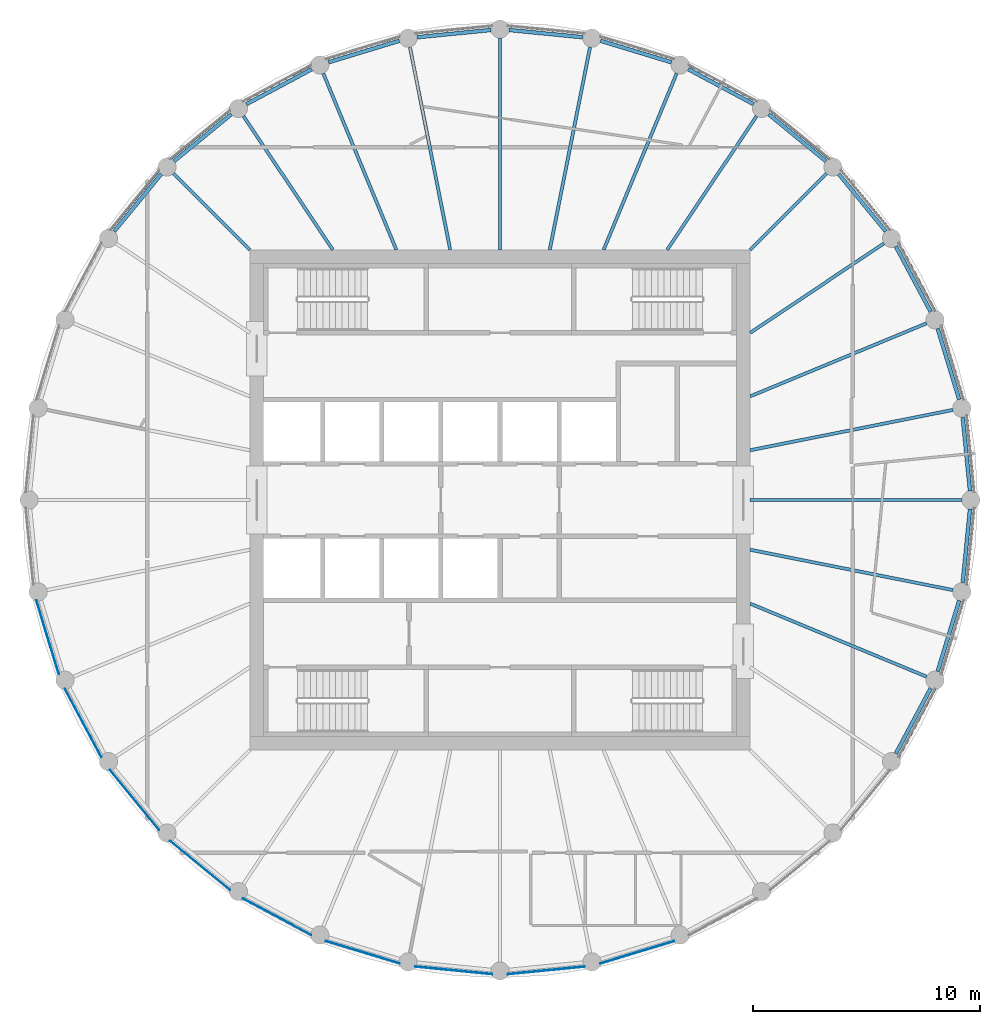
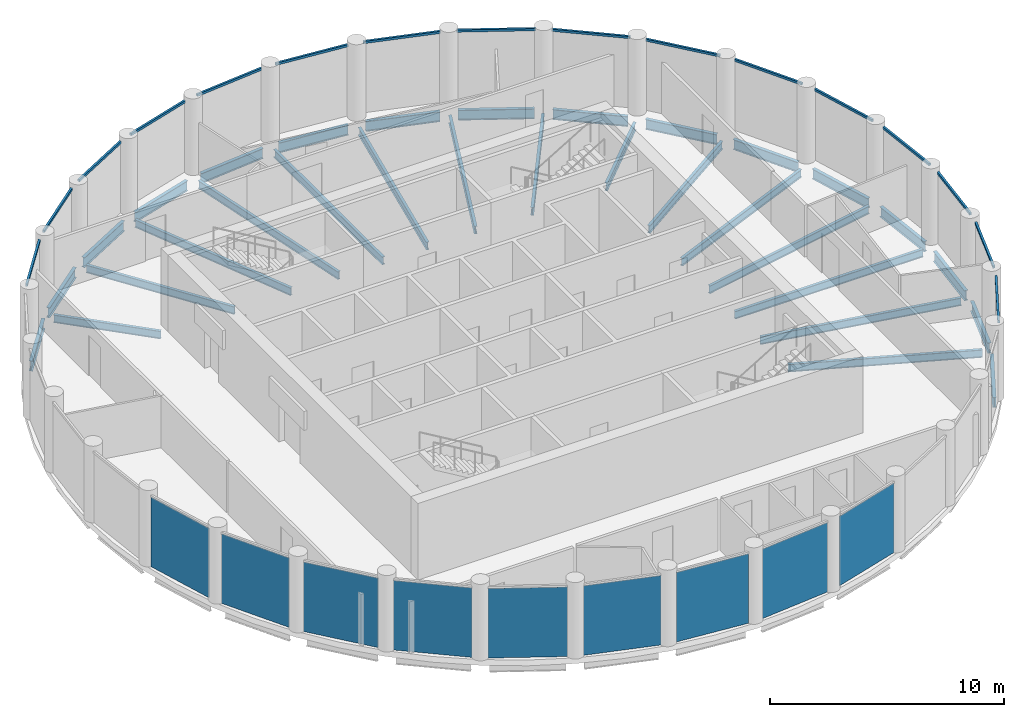
# One storey, part 2 of 7: 31 beams, 16 members, 9 plates, 25 elements without a shape of their own.
"""IFC4 building model written with IfcOpenShell, lengths in metres."""

from ifc_helpers import new_model, si_unit, direction, frame, origin, origin_2d, place, context, subcontext, project, spatial, rectangle, i_section, extrude, material, layer, layer_set, material_profile, profile_set, type_object, element, aggregate, save


model = new_model("IFC4")

# Units and contexts
model_context = context("Model", 3, precision=1e-05, world=origin(), true_north=direction((0.0, 1.0)))
body_context = subcontext(model_context, "Body", "Model", "MODEL_VIEW")
ifc_project = project(units=[si_unit("LENGTHUNIT", "METRE"), si_unit("AREAUNIT", "SQUARE_METRE"), si_unit("VOLUMEUNIT", "CUBIC_METRE"), si_unit("PLANEANGLEUNIT", "RADIAN"), si_unit("MASSUNIT", "GRAM", prefix="KILO")], contexts=[model_context])

# Site, building, storey
site_placement = place(None, origin())
site = spatial("IfcSite", under=ifc_project, at=site_placement, CompositionType="ELEMENT")
building_placement = place(site_placement, origin())
building = spatial("IfcBuilding", under=site, at=building_placement, Name="Corvane Civic Tower", CompositionType="ELEMENT")
storey_placement = place(building_placement, frame((0.0, 0.0, 336.5)))
storey = spatial("IfcBuildingStorey", under=building, at=storey_placement, Name="L80", CompositionType="ELEMENT", Elevation=336.5)

# Beams
ifc_material_1 = material(Name="Steel ASTM A992 Gr 50", Category="steel")
ifc_material_profile_1 = material_profile(ifc_material_1, i_section(OverallWidth=0.165771484375, OverallDepth=0.5283203125, WebThickness=0.009765625, FlangeThickness=0.013671875, at=origin_2d()), Name="W21X50")
ifc_profile_set_1 = profile_set([ifc_material_profile_1], Name="Steel ASTM A992 Gr 50")
beam_type_1 = type_object("IfcBeamType", Name="EDGE BEAM W21X50", PredefinedType="BEAM", material=ifc_profile_set_1)
beam_1_placement = place(storey_placement, frame((0.39794921875, 20.66064453125, -0.564208984375), z_axis=(0.995192503142, -0.097938152369, 0.0), x_axis=(0.097938152369, 0.995192503142, 0.0)))
element("IfcBeam", 1, at=beam_1_placement, inside=storey, type_object=beam_type_1, Name="BM-L80-E01", PredefinedType="BEAM", context=body_context, shape_type="SweptSolid", body=[
    extrude(i_section(OverallWidth=0.165771484375, OverallDepth=0.5283203125, WebThickness=0.009765625, FlangeThickness=0.013671875, at=origin_2d()), origin(), (0.0, 0.0, 1.0), 3.258056640625),
])
for number, where, z_axis, x_axis, name in (
    (2, (4.421142578125, 20.18603515625, -0.564208984375), (0.956955679349, -0.290234091317, 0.0), (0.290234091317, 0.956955679349, 0.0), "BM-L80-E02"),
    (3, (8.2744140625, 18.935791015625, -0.564208984375), (0.881894065907, -0.471447618, 0.0), (0.471447618, 0.881894065907, 0.0), "BM-L80-E03"),
    (4, (11.8095703125, 16.957763671875, -0.564208984375), (0.772984791903, -0.634424551454, 0.0), (0.634424551454, 0.772984791903, 0.0), "BM-L80-E04"),
    (5, (14.890869140625, 14.327880859375, -0.564208984375), (0.634424551454, -0.772984791903, 0.0), (0.772984791903, 0.634424551454, 0.0), "BM-L80-E05"),
    (6, (17.39990234375, 11.1474609375, -0.564208984375), (0.471447618, -0.881894065907, 0.0), (0.881894065907, 0.471447618, 0.0), "BM-L80-E06"),
    (7, (19.240478515625, 7.538818359375, -0.564208984375), (0.290234091317, -0.956955679349, 0.0), (0.956955679349, 0.290234091317, 0.0), "BM-L80-E07"),
):
    element("IfcBeam", number, at=place(storey_placement, frame(where, z_axis=z_axis, x_axis=x_axis)), inside=storey, type_object=beam_type_1, Name=name, PredefinedType="BEAM", context=body_context, shape_type="SweptSolid", body=[
        extrude(i_section(OverallWidth=0.165771484375, OverallDepth=0.5283203125, WebThickness=0.009765625, FlangeThickness=0.013671875, at=origin_2d()), origin(), (0.0, 0.0, 1.0), 3.2578125),
    ])
for number, where, z_axis, x_axis, name in (
    (8, (20.341552734375, 3.640380859375, -0.564208984375), (0.097938152369, -0.995192503142, 0.0), (0.995192503142, 0.097938152369, 0.0), "BM-L80-E08"),
    (9, (20.66064453125, -0.39794921875, -0.564208984375), (-0.097938152369, -0.995192503142, 0.0), (0.995192503142, -0.097938152369, 0.0), "BM-L80-E09"),
):
    element("IfcBeam", number, at=place(storey_placement, frame(where, z_axis=z_axis, x_axis=x_axis)), inside=storey, type_object=beam_type_1, Name=name, PredefinedType="BEAM", context=body_context, shape_type="SweptSolid", body=[
        extrude(i_section(OverallWidth=0.165771484375, OverallDepth=0.5283203125, WebThickness=0.009765625, FlangeThickness=0.013671875, at=origin_2d()), origin(), (0.0, 0.0, 1.0), 3.258056640625),
    ])
for number, where, z_axis, x_axis, name in (
    (10, (20.18603515625, -4.421142578125, -0.564208984375), (-0.290234091317, -0.956955679349, 0.0), (0.956955679349, -0.290234091317, 0.0), "BM-L80-E10"),
    (11, (18.935791015625, -8.2744140625, -0.564208984375), (-0.471447618, -0.881894065907, 0.0), (0.881894065907, -0.471447618, 0.0), "BM-L80-E11"),
    (12, (-16.957763671875, 11.8095703125, -0.564208984375), (0.634424551454, 0.772984791903, 0.0), (-0.772984791903, 0.634424551454, 0.0), "BM-L80-E28"),
    (13, (-14.327880859375, 14.890869140625, -0.564208984375), (0.772984791903, 0.634424551454, 0.0), (-0.634424551454, 0.772984791903, 0.0), "BM-L80-E29"),
    (14, (-11.1474609375, 17.39990234375, -0.564208984375), (0.881894065907, 0.471447618, 0.0), (-0.471447618, 0.881894065907, 0.0), "BM-L80-E30"),
    (15, (-7.538818359375, 19.240478515625, -0.564208984375), (0.956955679349, 0.290234091317, 0.0), (-0.290234091317, 0.956955679349, 0.0), "BM-L80-E31"),
):
    element("IfcBeam", number, at=place(storey_placement, frame(where, z_axis=z_axis, x_axis=x_axis)), inside=storey, type_object=beam_type_1, Name=name, PredefinedType="BEAM", context=body_context, shape_type="SweptSolid", body=[
        extrude(i_section(OverallWidth=0.165771484375, OverallDepth=0.5283203125, WebThickness=0.009765625, FlangeThickness=0.013671875, at=origin_2d()), origin(), (0.0, 0.0, 1.0), 3.2578125),
    ])
beam_2_placement = place(storey_placement, frame((-3.640380859375, 20.341552734375, -0.564208984375), z_axis=(0.995192503142, 0.097938152369, 0.0), x_axis=(-0.097938152369, 0.995192503142, 0.0)))
element("IfcBeam", 16, at=beam_2_placement, inside=storey, type_object=beam_type_1, Name="BM-L80-E32", PredefinedType="BEAM", context=body_context, shape_type="SweptSolid", body=[
    extrude(i_section(OverallWidth=0.165771484375, OverallDepth=0.5283203125, WebThickness=0.009765625, FlangeThickness=0.013671875, at=origin_2d()), origin(), (0.0, 0.0, 1.0), 3.258056640625),
])
ifc_material_2 = material(Name="Steel ASTM A992 Gr 50", Category="steel")
ifc_material_profile_2 = material_profile(ifc_material_2, i_section(OverallWidth=0.140380859375, OverallDepth=0.40380859375, WebThickness=0.007080078125, FlangeThickness=0.01123046875, at=origin_2d()), Name="W16X31")
ifc_profile_set_2 = profile_set([ifc_material_profile_2], Name="Steel ASTM A992 Gr 50")
beam_type_2 = type_object("IfcBeamType", Name="FLOOR GIRDER W16X31", PredefinedType="BEAM", material=ifc_profile_set_2)
beam_3_placement = place(storey_placement, frame((0.0, 11.0, -0.501953125), z_axis=(0.0, 1.0, 0.0), x_axis=(-1.0, 0.0, 0.0)))
element("IfcBeam", 17, at=beam_3_placement, inside=storey, type_object=beam_type_2, Name="BM-L80-G01", PredefinedType="BEAM", context=body_context, shape_type="SweptSolid", body=[
    extrude(i_section(OverallWidth=0.140380859375, OverallDepth=0.40380859375, WebThickness=0.007080078125, FlangeThickness=0.01123046875, at=origin_2d()), origin(), (0.0, 0.0, 1.0), 9.300048828125),
])
beam_4_placement = place(storey_placement, frame((2.18798828125, 11.0, -0.501953125), z_axis=(0.195108241061, 0.980781715913, 0.0), x_axis=(-0.980781715913, 0.195108241061, 0.0)))
element("IfcBeam", 18, at=beam_4_placement, inside=storey, type_object=beam_type_2, Name="BM-L80-G02", PredefinedType="BEAM", context=body_context, shape_type="SweptSolid", body=[
    extrude(i_section(OverallWidth=0.140380859375, OverallDepth=0.40380859375, WebThickness=0.007080078125, FlangeThickness=0.01123046875, at=origin_2d()), origin(), (0.0, 0.0, 1.0), 9.08447265625),
])
beam_5_placement = place(storey_placement, frame((4.556396484375, 11.0, -0.501953125), z_axis=(0.382691739894, 0.923876091377, 0.0), x_axis=(-0.923876091377, 0.382691739894, 0.0)))
element("IfcBeam", 19, at=beam_5_placement, inside=storey, type_object=beam_type_2, Name="BM-L80-G03", PredefinedType="BEAM", context=body_context, shape_type="SweptSolid", body=[
    extrude(i_section(OverallWidth=0.140380859375, OverallDepth=0.40380859375, WebThickness=0.007080078125, FlangeThickness=0.01123046875, at=origin_2d()), origin(), (0.0, 0.0, 1.0), 8.3935546875),
])
beam_6_placement = place(storey_placement, frame((7.349853515625, 11.0, -0.501953125), z_axis=(0.555576401385, 0.831465490699, 0.0), x_axis=(-0.831465490699, 0.555576401385, 0.0)))
element("IfcBeam", 20, at=beam_6_placement, inside=storey, type_object=beam_type_2, Name="BM-L80-G04", PredefinedType="BEAM", context=body_context, shape_type="SweptSolid", body=[
    extrude(i_section(OverallWidth=0.140380859375, OverallDepth=0.40380859375, WebThickness=0.007080078125, FlangeThickness=0.01123046875, at=origin_2d()), origin(), (0.0, 0.0, 1.0), 7.070556640625),
])
beam_7_placement = place(storey_placement, frame((11.0, 11.0, -0.501953125), z_axis=(0.707106781187, 0.707106781187, 0.0), x_axis=(-0.707106781187, 0.707106781187, 0.0)))
element("IfcBeam", 21, at=beam_7_placement, inside=storey, type_object=beam_type_2, Name="BM-L80-G05", PredefinedType="BEAM", context=body_context, shape_type="SweptSolid", body=[
    extrude(i_section(OverallWidth=0.140380859375, OverallDepth=0.40380859375, WebThickness=0.007080078125, FlangeThickness=0.01123046875, at=origin_2d()), origin(), (0.0, 0.0, 1.0), 4.74365234375),
])
beam_8_placement = place(storey_placement, frame((11.0, 7.349853515625, -0.501953125), z_axis=(0.831465490699, 0.555576401385, 0.0), x_axis=(-0.555576401385, 0.831465490699, 0.0)))
element("IfcBeam", 22, at=beam_8_placement, inside=storey, type_object=beam_type_2, Name="BM-L80-G06", PredefinedType="BEAM", context=body_context, shape_type="SweptSolid", body=[
    extrude(i_section(OverallWidth=0.140380859375, OverallDepth=0.40380859375, WebThickness=0.007080078125, FlangeThickness=0.01123046875, at=origin_2d()), origin(), (0.0, 0.0, 1.0), 7.070556640625),
])
beam_9_placement = place(storey_placement, frame((11.0, 4.556396484375, -0.501953125), z_axis=(0.923876091377, 0.382691739894, 0.0), x_axis=(-0.382691739894, 0.923876091377, 0.0)))
element("IfcBeam", 23, at=beam_9_placement, inside=storey, type_object=beam_type_2, Name="BM-L80-G07", PredefinedType="BEAM", context=body_context, shape_type="SweptSolid", body=[
    extrude(i_section(OverallWidth=0.140380859375, OverallDepth=0.40380859375, WebThickness=0.007080078125, FlangeThickness=0.01123046875, at=origin_2d()), origin(), (0.0, 0.0, 1.0), 8.3935546875),
])
beam_10_placement = place(storey_placement, frame((11.0, 2.18798828125, -0.501953125), z_axis=(0.980781715913, 0.195108241061, 0.0), x_axis=(-0.195108241061, 0.980781715913, 0.0)))
element("IfcBeam", 24, at=beam_10_placement, inside=storey, type_object=beam_type_2, Name="BM-L80-G08", PredefinedType="BEAM", context=body_context, shape_type="SweptSolid", body=[
    extrude(i_section(OverallWidth=0.140380859375, OverallDepth=0.40380859375, WebThickness=0.007080078125, FlangeThickness=0.01123046875, at=origin_2d()), origin(), (0.0, 0.0, 1.0), 9.08447265625),
])
beam_11_placement = place(storey_placement, frame((11.0, 0.0, -0.501953125), z_axis=(1.0, 0.0, 0.0), x_axis=(0.0, 1.0, 0.0)))
element("IfcBeam", 25, at=beam_11_placement, inside=storey, type_object=beam_type_2, Name="BM-L80-G09", PredefinedType="BEAM", context=body_context, shape_type="SweptSolid", body=[
    extrude(i_section(OverallWidth=0.140380859375, OverallDepth=0.40380859375, WebThickness=0.007080078125, FlangeThickness=0.01123046875, at=origin_2d()), origin(), (0.0, 0.0, 1.0), 9.300048828125),
])
beam_12_placement = place(storey_placement, frame((11.0, -2.18798828125, -0.501953125), z_axis=(0.980781715913, -0.195108241061, 0.0), x_axis=(0.195108241061, 0.980781715913, 0.0)))
element("IfcBeam", 26, at=beam_12_placement, inside=storey, type_object=beam_type_2, Name="BM-L80-G10", PredefinedType="BEAM", context=body_context, shape_type="SweptSolid", body=[
    extrude(i_section(OverallWidth=0.140380859375, OverallDepth=0.40380859375, WebThickness=0.007080078125, FlangeThickness=0.01123046875, at=origin_2d()), origin(), (0.0, 0.0, 1.0), 9.08447265625),
])
beam_13_placement = place(storey_placement, frame((11.0, -4.556396484375, -0.501953125), z_axis=(0.923876091377, -0.382691739894, 0.0), x_axis=(0.382691739894, 0.923876091377, 0.0)))
element("IfcBeam", 27, at=beam_13_placement, inside=storey, type_object=beam_type_2, Name="BM-L80-G11", PredefinedType="BEAM", context=body_context, shape_type="SweptSolid", body=[
    extrude(i_section(OverallWidth=0.140380859375, OverallDepth=0.40380859375, WebThickness=0.007080078125, FlangeThickness=0.01123046875, at=origin_2d()), origin(), (0.0, 0.0, 1.0), 8.3935546875),
])
beam_14_placement = place(storey_placement, frame((-11.0, 11.0, -0.501953125), z_axis=(-0.707106781187, 0.707106781187, 0.0), x_axis=(-0.707106781187, -0.707106781187, 0.0)))
element("IfcBeam", 28, at=beam_14_placement, inside=storey, type_object=beam_type_2, Name="BM-L80-G29", PredefinedType="BEAM", context=body_context, shape_type="SweptSolid", body=[
    extrude(i_section(OverallWidth=0.140380859375, OverallDepth=0.40380859375, WebThickness=0.007080078125, FlangeThickness=0.01123046875, at=origin_2d()), origin(), (0.0, 0.0, 1.0), 4.74365234375),
])
beam_15_placement = place(storey_placement, frame((-7.349853515625, 11.0, -0.501953125), z_axis=(-0.555576401385, 0.831465490699, 0.0), x_axis=(-0.831465490699, -0.555576401385, 0.0)))
element("IfcBeam", 29, at=beam_15_placement, inside=storey, type_object=beam_type_2, Name="BM-L80-G30", PredefinedType="BEAM", context=body_context, shape_type="SweptSolid", body=[
    extrude(i_section(OverallWidth=0.140380859375, OverallDepth=0.40380859375, WebThickness=0.007080078125, FlangeThickness=0.01123046875, at=origin_2d()), origin(), (0.0, 0.0, 1.0), 7.070556640625),
])
beam_16_placement = place(storey_placement, frame((-4.556396484375, 11.0, -0.501953125), z_axis=(-0.382691739894, 0.923876091377, 0.0), x_axis=(-0.923876091377, -0.382691739894, 0.0)))
element("IfcBeam", 30, at=beam_16_placement, inside=storey, type_object=beam_type_2, Name="BM-L80-G31", PredefinedType="BEAM", context=body_context, shape_type="SweptSolid", body=[
    extrude(i_section(OverallWidth=0.140380859375, OverallDepth=0.40380859375, WebThickness=0.007080078125, FlangeThickness=0.01123046875, at=origin_2d()), origin(), (0.0, 0.0, 1.0), 8.3935546875),
])
beam_17_placement = place(storey_placement, frame((-2.18798828125, 11.0, -0.501953125), z_axis=(-0.195108241061, 0.980781715913, 0.0), x_axis=(-0.980781715913, -0.195108241061, 0.0)))
element("IfcBeam", 31, at=beam_17_placement, inside=storey, type_object=beam_type_2, Name="BM-L80-G32", PredefinedType="BEAM", context=body_context, shape_type="SweptSolid", body=[
    extrude(i_section(OverallWidth=0.140380859375, OverallDepth=0.40380859375, WebThickness=0.007080078125, FlangeThickness=0.01123046875, at=origin_2d()), origin(), (0.0, 0.0, 1.0), 9.08447265625),
])

# Curtain wall, member
ifc_material_3 = material(Name="Anodised aluminium bronze", Category="aluminium")
curtain_wall_type = type_object("IfcCurtainWallType", Name="TOWER CW-T3 STICK CURTAIN WALL", PredefinedType="NOTDEFINED", material=ifc_material_3)
curtain_wall_1_placement = place(storey_placement, origin())
curtain_wall_1 = element("IfcCurtainWall", 32, at=curtain_wall_1_placement, inside=storey, type_object=curtain_wall_type, Name="Curtain wall CW-T3 L80 bay 01", PredefinedType="NOTDEFINED")
ifc_material_4 = material(Name="Anodised aluminium bronze", Category="aluminium")
ifc_material_profile_3 = material_profile(ifc_material_4, rectangle(XDim=0.10009765625, YDim=0.1201171875, at=origin_2d()), Name="TOWER CW-T3 TRANSOM 100x120")
ifc_profile_set_3 = profile_set([ifc_material_profile_3], Name="Anodised aluminium bronze")
member_type = type_object("IfcMemberType", Name="TOWER CW-T3 TRANSOM 100x120", PredefinedType="USERDEFINED", material=ifc_profile_set_3)
member_1_placement = place(storey_placement, frame((0.34375, 20.845947265625, 3.68994140625), z_axis=(0.995191564676, -0.097947688066, 0.0), x_axis=(0.097947688066, 0.995191564676, 0.0)))
member_1 = element("IfcMember", 33, at=member_1_placement, type_object=member_type, Name="Transom CW-T3 L80 01.1", ObjectType="TRANSOM", PredefinedType="USERDEFINED", context=body_context, shape_type="SweptSolid", body=[
    extrude(rectangle(XDim=0.10009765625, YDim=0.1201171875, at=origin_2d()), origin(), (0.0, 0.0, 1.0), 3.40234375),
])
aggregate(curtain_wall_1, [member_1])

curtain_wall_2_placement = place(storey_placement, origin())
curtain_wall_2 = element("IfcCurtainWall", 34, at=curtain_wall_2_placement, inside=storey, type_object=curtain_wall_type, Name="Curtain wall CW-T3 L80 bay 02", PredefinedType="NOTDEFINED")
member_2_placement = place(storey_placement, frame((4.40380859375, 20.37841796875, 3.68994140625), z_axis=(0.956961022204, -0.290216474345, 0.0), x_axis=(0.290216474345, 0.956961022204, 0.0)))
member_2 = element("IfcMember", 35, at=member_2_placement, type_object=member_type, Name="Transom CW-T3 L80 02.1", ObjectType="TRANSOM", PredefinedType="USERDEFINED", context=body_context, shape_type="SweptSolid", body=[
    extrude(rectangle(XDim=0.10009765625, YDim=0.1201171875, at=origin_2d()), origin(), (0.0, 0.0, 1.0), 3.40283203125),
])
aggregate(curtain_wall_2, [member_2])

curtain_wall_3_placement = place(storey_placement, origin())
curtain_wall_3 = element("IfcCurtainWall", 36, at=curtain_wall_3_placement, inside=storey, type_object=curtain_wall_type, Name="Curtain wall CW-T3 L80 bay 03", PredefinedType="NOTDEFINED")
member_3_placement = place(storey_placement, frame((8.294921875, 19.127685546875, 3.68994140625), z_axis=(0.881941440444, -0.471358988063, 0.0), x_axis=(0.471358988063, 0.881941440444, 0.0)))
member_3 = element("IfcMember", 37, at=member_3_placement, type_object=member_type, Name="Transom CW-T3 L80 03.1", ObjectType="TRANSOM", PredefinedType="USERDEFINED", context=body_context, shape_type="SweptSolid", body=[
    extrude(rectangle(XDim=0.10009765625, YDim=0.1201171875, at=origin_2d()), origin(), (0.0, 0.0, 1.0), 3.40234375),
])
aggregate(curtain_wall_3, [member_3])

curtain_wall_4_placement = place(storey_placement, origin())
curtain_wall_4 = element("IfcCurtainWall", 38, at=curtain_wall_4_placement, inside=storey, type_object=curtain_wall_type, Name="Curtain wall CW-T3 L80 bay 04", PredefinedType="NOTDEFINED")
member_4_placement = place(storey_placement, frame((11.8671875, 17.14208984375, 3.68994140625), z_axis=(0.773010217358, -0.634393571736, 0.0), x_axis=(0.634393571736, 0.773010217358, 0.0)))
member_4 = element("IfcMember", 39, at=member_4_placement, type_object=member_type, Name="Transom CW-T3 L80 04.1", ObjectType="TRANSOM", PredefinedType="USERDEFINED", context=body_context, shape_type="SweptSolid", body=[
    extrude(rectangle(XDim=0.10009765625, YDim=0.1201171875, at=origin_2d()), origin(), (0.0, 0.0, 1.0), 3.40283203125),
])
aggregate(curtain_wall_4, [member_4])

curtain_wall_5_placement = place(storey_placement, origin())
curtain_wall_5 = element("IfcCurtainWall", 40, at=curtain_wall_5_placement, inside=storey, type_object=curtain_wall_type, Name="Curtain wall CW-T3 L80 bay 05", PredefinedType="NOTDEFINED")
member_5_placement = place(storey_placement, frame((14.9833984375, 14.49755859375, 3.68994140625), z_axis=(0.634393571736, -0.773010217358, 0.0), x_axis=(0.773010217358, 0.634393571736, 0.0)))
member_5 = element("IfcMember", 41, at=member_5_placement, type_object=member_type, Name="Transom CW-T3 L80 05.1", ObjectType="TRANSOM", PredefinedType="USERDEFINED", context=body_context, shape_type="SweptSolid", body=[
    extrude(rectangle(XDim=0.10009765625, YDim=0.1201171875, at=origin_2d()), origin(), (0.0, 0.0, 1.0), 3.40283203125),
])
aggregate(curtain_wall_5, [member_5])

curtain_wall_6_placement = place(storey_placement, origin())
curtain_wall_6 = element("IfcCurtainWall", 42, at=curtain_wall_6_placement, inside=storey, type_object=curtain_wall_type, Name="Curtain wall CW-T3 L80 bay 06", PredefinedType="NOTDEFINED")
member_6_placement = place(storey_placement, frame((17.52392578125, 11.295654296875, 3.68994140625), z_axis=(0.471358988063, -0.881941440444, 0.0), x_axis=(0.881941440444, 0.471358988063, 0.0)))
member_6 = element("IfcMember", 43, at=member_6_placement, type_object=member_type, Name="Transom CW-T3 L80 06.1", ObjectType="TRANSOM", PredefinedType="USERDEFINED", context=body_context, shape_type="SweptSolid", body=[
    extrude(rectangle(XDim=0.10009765625, YDim=0.1201171875, at=origin_2d()), origin(), (0.0, 0.0, 1.0), 3.40234375),
])
aggregate(curtain_wall_6, [member_6])

curtain_wall_7_placement = place(storey_placement, origin())
curtain_wall_7 = element("IfcCurtainWall", 44, at=curtain_wall_7_placement, inside=storey, type_object=curtain_wall_type, Name="Curtain wall CW-T3 L80 bay 07", PredefinedType="NOTDEFINED")
member_7_placement = place(storey_placement, frame((19.390869140625, 7.66015625, 3.68994140625), z_axis=(0.290216474345, -0.956961022204, 0.0), x_axis=(0.956961022204, 0.290216474345, 0.0)))
member_7 = element("IfcMember", 45, at=member_7_placement, type_object=member_type, Name="Transom CW-T3 L80 07.1", ObjectType="TRANSOM", PredefinedType="USERDEFINED", context=body_context, shape_type="SweptSolid", body=[
    extrude(rectangle(XDim=0.10009765625, YDim=0.1201171875, at=origin_2d()), origin(), (0.0, 0.0, 1.0), 3.40283203125),
])
aggregate(curtain_wall_7, [member_7])

curtain_wall_8_placement = place(storey_placement, origin())
curtain_wall_8 = element("IfcCurtainWall", 46, at=curtain_wall_8_placement, inside=storey, type_object=curtain_wall_type, Name="Curtain wall CW-T3 L80 bay 08", PredefinedType="NOTDEFINED")
member_8_placement = place(storey_placement, frame((20.5126953125, 3.729736328125, 3.68994140625), z_axis=(0.097947688066, -0.995191564676, 0.0), x_axis=(0.995191564676, 0.097947688066, 0.0)))
member_8 = element("IfcMember", 47, at=member_8_placement, type_object=member_type, Name="Transom CW-T3 L80 08.1", ObjectType="TRANSOM", PredefinedType="USERDEFINED", context=body_context, shape_type="SweptSolid", body=[
    extrude(rectangle(XDim=0.10009765625, YDim=0.1201171875, at=origin_2d()), origin(), (0.0, 0.0, 1.0), 3.40234375),
])
aggregate(curtain_wall_8, [member_8])

curtain_wall_9_placement = place(storey_placement, origin())
curtain_wall_9 = element("IfcCurtainWall", 48, at=curtain_wall_9_placement, inside=storey, type_object=curtain_wall_type, Name="Curtain wall CW-T3 L80 bay 09", PredefinedType="NOTDEFINED")
member_9_placement = place(storey_placement, frame((20.845947265625, -0.34375, 3.68994140625), z_axis=(-0.097947688066, -0.995191564676, 0.0), x_axis=(0.995191564676, -0.097947688066, 0.0)))
member_9 = element("IfcMember", 49, at=member_9_placement, type_object=member_type, Name="Transom CW-T3 L80 09.1", ObjectType="TRANSOM", PredefinedType="USERDEFINED", context=body_context, shape_type="SweptSolid", body=[
    extrude(rectangle(XDim=0.10009765625, YDim=0.1201171875, at=origin_2d()), origin(), (0.0, 0.0, 1.0), 3.40234375),
])
aggregate(curtain_wall_9, [member_9])

curtain_wall_10_placement = place(storey_placement, origin())
curtain_wall_10 = element("IfcCurtainWall", 50, at=curtain_wall_10_placement, inside=storey, type_object=curtain_wall_type, Name="Curtain wall CW-T3 L80 bay 10", PredefinedType="NOTDEFINED")
member_10_placement = place(storey_placement, frame((20.37841796875, -4.40380859375, 3.68994140625), z_axis=(-0.290216474345, -0.956961022204, 0.0), x_axis=(0.956961022204, -0.290216474345, 0.0)))
member_10 = element("IfcMember", 51, at=member_10_placement, type_object=member_type, Name="Transom CW-T3 L80 10.1", ObjectType="TRANSOM", PredefinedType="USERDEFINED", context=body_context, shape_type="SweptSolid", body=[
    extrude(rectangle(XDim=0.10009765625, YDim=0.1201171875, at=origin_2d()), origin(), (0.0, 0.0, 1.0), 3.40283203125),
])
aggregate(curtain_wall_10, [member_10])

curtain_wall_11_placement = place(storey_placement, origin())
curtain_wall_11 = element("IfcCurtainWall", 52, at=curtain_wall_11_placement, inside=storey, type_object=curtain_wall_type, Name="Curtain wall CW-T3 L80 bay 11", PredefinedType="NOTDEFINED")
member_11_placement = place(storey_placement, frame((19.127685546875, -8.294921875, 3.68994140625), z_axis=(-0.471358988063, -0.881941440444, 0.0), x_axis=(0.881941440444, -0.471358988063, 0.0)))
member_11 = element("IfcMember", 53, at=member_11_placement, type_object=member_type, Name="Transom CW-T3 L80 11.1", ObjectType="TRANSOM", PredefinedType="USERDEFINED", context=body_context, shape_type="SweptSolid", body=[
    extrude(rectangle(XDim=0.10009765625, YDim=0.1201171875, at=origin_2d()), origin(), (0.0, 0.0, 1.0), 3.40234375),
])
aggregate(curtain_wall_11, [member_11])

curtain_wall_12_placement = place(storey_placement, origin())
curtain_wall_12 = element("IfcCurtainWall", 54, at=curtain_wall_12_placement, inside=storey, type_object=curtain_wall_type, Name="Curtain wall CW-T3 L80 bay 28", PredefinedType="NOTDEFINED")
member_12_placement = place(storey_placement, frame((-17.14208984375, 11.8671875, 3.68994140625), z_axis=(0.634393571736, 0.773010217358, 0.0), x_axis=(-0.773010217358, 0.634393571736, 0.0)))
member_12 = element("IfcMember", 55, at=member_12_placement, type_object=member_type, Name="Transom CW-T3 L80 28.1", ObjectType="TRANSOM", PredefinedType="USERDEFINED", context=body_context, shape_type="SweptSolid", body=[
    extrude(rectangle(XDim=0.10009765625, YDim=0.1201171875, at=origin_2d()), origin(), (0.0, 0.0, 1.0), 3.40283203125),
])
aggregate(curtain_wall_12, [member_12])

curtain_wall_13_placement = place(storey_placement, origin())
curtain_wall_13 = element("IfcCurtainWall", 56, at=curtain_wall_13_placement, inside=storey, type_object=curtain_wall_type, Name="Curtain wall CW-T3 L80 bay 29", PredefinedType="NOTDEFINED")
member_13_placement = place(storey_placement, frame((-14.49755859375, 14.9833984375, 3.68994140625), z_axis=(0.773010217358, 0.634393571736, 0.0), x_axis=(-0.634393571736, 0.773010217358, 0.0)))
member_13 = element("IfcMember", 57, at=member_13_placement, type_object=member_type, Name="Transom CW-T3 L80 29.1", ObjectType="TRANSOM", PredefinedType="USERDEFINED", context=body_context, shape_type="SweptSolid", body=[
    extrude(rectangle(XDim=0.10009765625, YDim=0.1201171875, at=origin_2d()), origin(), (0.0, 0.0, 1.0), 3.40283203125),
])
aggregate(curtain_wall_13, [member_13])

curtain_wall_14_placement = place(storey_placement, origin())
curtain_wall_14 = element("IfcCurtainWall", 58, at=curtain_wall_14_placement, inside=storey, type_object=curtain_wall_type, Name="Curtain wall CW-T3 L80 bay 30", PredefinedType="NOTDEFINED")
member_14_placement = place(storey_placement, frame((-11.295654296875, 17.52392578125, 3.68994140625), z_axis=(0.881941440444, 0.471358988063, 0.0), x_axis=(-0.471358988063, 0.881941440444, 0.0)))
member_14 = element("IfcMember", 59, at=member_14_placement, type_object=member_type, Name="Transom CW-T3 L80 30.1", ObjectType="TRANSOM", PredefinedType="USERDEFINED", context=body_context, shape_type="SweptSolid", body=[
    extrude(rectangle(XDim=0.10009765625, YDim=0.1201171875, at=origin_2d()), origin(), (0.0, 0.0, 1.0), 3.40234375),
])
aggregate(curtain_wall_14, [member_14])

curtain_wall_15_placement = place(storey_placement, origin())
curtain_wall_15 = element("IfcCurtainWall", 60, at=curtain_wall_15_placement, inside=storey, type_object=curtain_wall_type, Name="Curtain wall CW-T3 L80 bay 31", PredefinedType="NOTDEFINED")
member_15_placement = place(storey_placement, frame((-7.66015625, 19.390869140625, 3.68994140625), z_axis=(0.956961022204, 0.290216474345, 0.0), x_axis=(-0.290216474345, 0.956961022204, 0.0)))
member_15 = element("IfcMember", 61, at=member_15_placement, type_object=member_type, Name="Transom CW-T3 L80 31.1", ObjectType="TRANSOM", PredefinedType="USERDEFINED", context=body_context, shape_type="SweptSolid", body=[
    extrude(rectangle(XDim=0.10009765625, YDim=0.1201171875, at=origin_2d()), origin(), (0.0, 0.0, 1.0), 3.40283203125),
])
aggregate(curtain_wall_15, [member_15])

curtain_wall_16_placement = place(storey_placement, origin())
curtain_wall_16 = element("IfcCurtainWall", 62, at=curtain_wall_16_placement, inside=storey, type_object=curtain_wall_type, Name="Curtain wall CW-T3 L80 bay 32", PredefinedType="NOTDEFINED")
member_16_placement = place(storey_placement, frame((-3.729736328125, 20.5126953125, 3.68994140625), z_axis=(0.995191564676, 0.097947688066, 0.0), x_axis=(-0.097947688066, 0.995191564676, 0.0)))
member_16 = element("IfcMember", 63, at=member_16_placement, type_object=member_type, Name="Transom CW-T3 L80 32.1", ObjectType="TRANSOM", PredefinedType="USERDEFINED", context=body_context, shape_type="SweptSolid", body=[
    extrude(rectangle(XDim=0.10009765625, YDim=0.1201171875, at=origin_2d()), origin(), (0.0, 0.0, 1.0), 3.40234375),
])
aggregate(curtain_wall_16, [member_16])

# Curtain wall, plate
curtain_wall_17_placement = place(storey_placement, origin())
curtain_wall_17 = element("IfcCurtainWall", 64, at=curtain_wall_17_placement, inside=storey, type_object=curtain_wall_type, Name="Curtain wall CW-T3 L80 bay 15", PredefinedType="NOTDEFINED")
ifc_material_5 = material(Name="Tinted glass", Category="glass")
ifc_layer = layer(ifc_material_5, 0.028076171875)
ifc_layer_set = layer_set([ifc_layer], Name="Tinted glass")
plate_type = type_object("IfcPlateType", Name="TOWER CW-T3 PANEL IGU28", PredefinedType="CURTAIN_PANEL", material=ifc_layer_set)
plate_1_placement = place(storey_placement, frame((6.031982421875, -19.884765625, 0.0), z_axis=(0.0, 0.0, 1.0), x_axis=(-0.956938582641, -0.290290456359, 0.0)))
plate_1 = element("IfcPlate", 65, at=plate_1_placement, type_object=plate_type, Name="Glass panel CW-T3 L80 15.1", PredefinedType="CURTAIN_PANEL", context=body_context, shape_type="SweptSolid", body=[
    extrude(rectangle(XDim=3.40283203125, YDim=0.028076171875, at=origin_2d()), origin(), (0.0, 0.0, 1.0), 3.6298828125),
])
aggregate(curtain_wall_17, [plate_1])

curtain_wall_18_placement = place(storey_placement, origin())
curtain_wall_18 = element("IfcCurtainWall", 66, at=curtain_wall_18_placement, inside=storey, type_object=curtain_wall_type, Name="Curtain wall CW-T3 L80 bay 16", PredefinedType="NOTDEFINED")
plate_2_placement = place(storey_placement, frame((2.03662109375, -20.679443359375, 0.0), z_axis=(0.0, 0.0, 1.0), x_axis=(-0.995186641028, -0.097997701601, 0.0)))
plate_2 = element("IfcPlate", 67, at=plate_2_placement, type_object=plate_type, Name="Glass panel CW-T3 L80 16.1", PredefinedType="CURTAIN_PANEL", context=body_context, shape_type="SweptSolid", body=[
    extrude(rectangle(XDim=3.402587890625, YDim=0.028076171875, at=origin_2d()), origin(), (0.0, 0.0, 1.0), 3.6298828125),
])
aggregate(curtain_wall_18, [plate_2])

curtain_wall_19_placement = place(storey_placement, origin())
curtain_wall_19 = element("IfcCurtainWall", 68, at=curtain_wall_19_placement, inside=storey, type_object=curtain_wall_type, Name="Curtain wall CW-T3 L80 bay 17", PredefinedType="NOTDEFINED")
plate_3_placement = place(storey_placement, frame((-2.03662109375, -20.679443359375, 0.0), z_axis=(0.0, 0.0, 1.0), x_axis=(-0.995186641028, 0.097997701601, 0.0)))
plate_3 = element("IfcPlate", 69, at=plate_3_placement, type_object=plate_type, Name="Glass panel CW-T3 L80 17.1", PredefinedType="CURTAIN_PANEL", context=body_context, shape_type="SweptSolid", body=[
    extrude(rectangle(XDim=3.402587890625, YDim=0.028076171875, at=origin_2d()), origin(), (0.0, 0.0, 1.0), 3.6298828125),
])
aggregate(curtain_wall_19, [plate_3])

curtain_wall_20_placement = place(storey_placement, origin())
curtain_wall_20 = element("IfcCurtainWall", 70, at=curtain_wall_20_placement, inside=storey, type_object=curtain_wall_type, Name="Curtain wall CW-T3 L80 bay 18", PredefinedType="NOTDEFINED")
plate_4_placement = place(storey_placement, frame((-6.031982421875, -19.884765625, 0.0), z_axis=(0.0, 0.0, 1.0), x_axis=(-0.956938582641, 0.290290456359, 0.0)))
plate_4 = element("IfcPlate", 71, at=plate_4_placement, type_object=plate_type, Name="Glass panel CW-T3 L80 18.1", PredefinedType="CURTAIN_PANEL", context=body_context, shape_type="SweptSolid", body=[
    extrude(rectangle(XDim=3.40283203125, YDim=0.028076171875, at=origin_2d()), origin(), (0.0, 0.0, 1.0), 3.6298828125),
])
aggregate(curtain_wall_20, [plate_4])

curtain_wall_21_placement = place(storey_placement, origin())
curtain_wall_21 = element("IfcCurtainWall", 72, at=curtain_wall_21_placement, inside=storey, type_object=curtain_wall_type, Name="Curtain wall CW-T3 L80 bay 19", PredefinedType="NOTDEFINED")
plate_5_placement = place(storey_placement, frame((-9.79541015625, -18.325927734375, 0.0), z_axis=(0.0, 0.0, 1.0), x_axis=(-0.88192824848, 0.471383670202, 0.0)))
plate_5 = element("IfcPlate", 73, at=plate_5_placement, type_object=plate_type, Name="Glass panel CW-T3 L80 19.1", PredefinedType="CURTAIN_PANEL", context=body_context, shape_type="SweptSolid", body=[
    extrude(rectangle(XDim=3.40234375, YDim=0.028076171875, at=origin_2d()), origin(), (0.0, 0.0, 1.0), 3.6298828125),
])
aggregate(curtain_wall_21, [plate_5])

curtain_wall_22_placement = place(storey_placement, origin())
curtain_wall_22 = element("IfcCurtainWall", 74, at=curtain_wall_22_placement, inside=storey, type_object=curtain_wall_type, Name="Curtain wall CW-T3 L80 bay 20", PredefinedType="NOTDEFINED")
plate_6_placement = place(storey_placement, frame((-13.182373046875, -16.062744140625, 0.0), z_axis=(0.0, 0.0, 1.0), x_axis=(-0.773010369391, 0.634393386484, 0.0)))
plate_6 = element("IfcPlate", 75, at=plate_6_placement, type_object=plate_type, Name="Glass panel CW-T3 L80 20.1", PredefinedType="CURTAIN_PANEL", context=body_context, shape_type="SweptSolid", body=[
    extrude(rectangle(XDim=3.402587890625, YDim=0.028076171875, at=origin_2d()), origin(), (0.0, 0.0, 1.0), 3.6298828125),
])
aggregate(curtain_wall_22, [plate_6])

curtain_wall_23_placement = place(storey_placement, origin())
curtain_wall_23 = element("IfcCurtainWall", 76, at=curtain_wall_23_placement, inside=storey, type_object=curtain_wall_type, Name="Curtain wall CW-T3 L80 bay 21", PredefinedType="NOTDEFINED")
plate_7_placement = place(storey_placement, frame((-16.062744140625, -13.182373046875, 0.0), z_axis=(0.0, 0.0, 1.0), x_axis=(-0.634393386484, 0.773010369391, 0.0)))
plate_7 = element("IfcPlate", 77, at=plate_7_placement, type_object=plate_type, Name="Glass panel CW-T3 L80 21.1", PredefinedType="CURTAIN_PANEL", context=body_context, shape_type="SweptSolid", body=[
    extrude(rectangle(XDim=3.402587890625, YDim=0.028076171875, at=origin_2d()), origin(), (0.0, 0.0, 1.0), 3.6298828125),
])
aggregate(curtain_wall_23, [plate_7])

curtain_wall_24_placement = place(storey_placement, origin())
curtain_wall_24 = element("IfcCurtainWall", 78, at=curtain_wall_24_placement, inside=storey, type_object=curtain_wall_type, Name="Curtain wall CW-T3 L80 bay 22", PredefinedType="NOTDEFINED")
plate_8_placement = place(storey_placement, frame((-18.325927734375, -9.79541015625, 0.0), z_axis=(0.0, 0.0, 1.0), x_axis=(-0.471383670202, 0.88192824848, 0.0)))
plate_8 = element("IfcPlate", 79, at=plate_8_placement, type_object=plate_type, Name="Glass panel CW-T3 L80 22.1", PredefinedType="CURTAIN_PANEL", context=body_context, shape_type="SweptSolid", body=[
    extrude(rectangle(XDim=3.40234375, YDim=0.028076171875, at=origin_2d()), origin(), (0.0, 0.0, 1.0), 3.6298828125),
])
aggregate(curtain_wall_24, [plate_8])

curtain_wall_25_placement = place(storey_placement, origin())
curtain_wall_25 = element("IfcCurtainWall", 80, at=curtain_wall_25_placement, inside=storey, type_object=curtain_wall_type, Name="Curtain wall CW-T3 L80 bay 23", PredefinedType="NOTDEFINED")
plate_9_placement = place(storey_placement, frame((-19.884765625, -6.031982421875, 0.0), z_axis=(0.0, 0.0, 1.0), x_axis=(-0.290290456359, 0.956938582641, 0.0)))
plate_9 = element("IfcPlate", 81, at=plate_9_placement, type_object=plate_type, Name="Glass panel CW-T3 L80 23.1", PredefinedType="CURTAIN_PANEL", context=body_context, shape_type="SweptSolid", body=[
    extrude(rectangle(XDim=3.40283203125, YDim=0.028076171875, at=origin_2d()), origin(), (0.0, 0.0, 1.0), 3.6298828125),
])
aggregate(curtain_wall_25, [plate_9])

save(model, "model.ifc")
